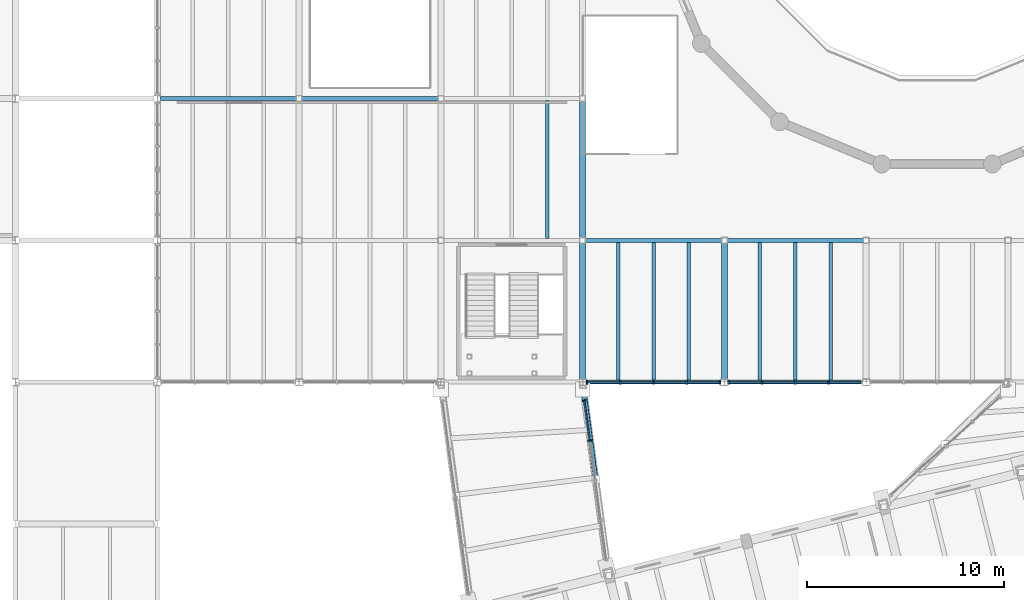
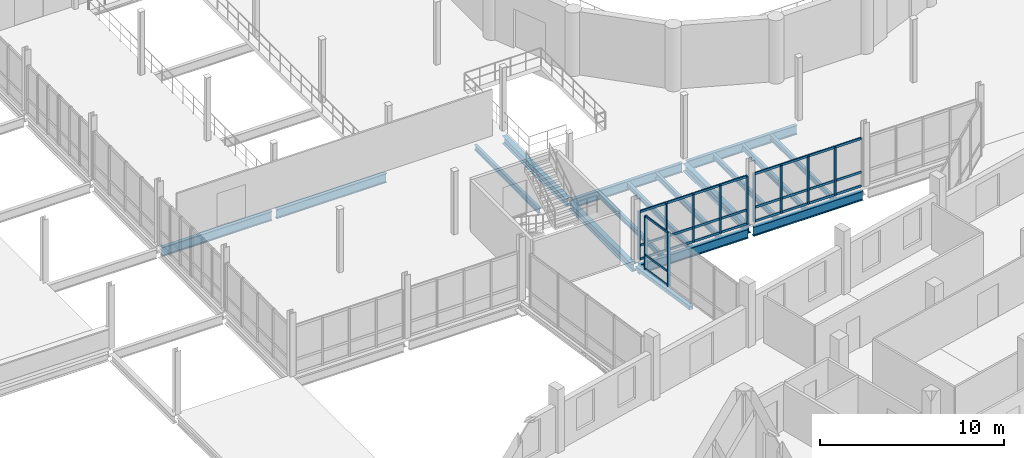
# One storey, part 21 of 72: 39 members, 16 beams, 3 elements without a shape of their own.
"""IFC4 building model written with IfcOpenShell, lengths in metres."""

from ifc_helpers import new_model, si_unit, direction, frame, origin, origin_2d, place, context, subcontext, project, spatial, rectangle, hollow_rectangle, i_section, extrude, material, material_profile, profile_set, type_object, element, aggregate, save


model = new_model("IFC4")

# Units and contexts
model_context = context("Model", 3, precision=1e-05, world=origin(), true_north=direction((0.0, 1.0)))
body_context = subcontext(model_context, "Body", "Model", "MODEL_VIEW")
ifc_project = project(units=[si_unit("LENGTHUNIT", "METRE"), si_unit("AREAUNIT", "SQUARE_METRE"), si_unit("VOLUMEUNIT", "CUBIC_METRE"), si_unit("PLANEANGLEUNIT", "RADIAN"), si_unit("MASSUNIT", "GRAM", prefix="KILO")], contexts=[model_context])

# Site, building, storey
site_placement = place(None, origin())
site = spatial("IfcSite", under=ifc_project, at=site_placement, CompositionType="ELEMENT")
building_placement = place(site_placement, origin())
building = spatial("IfcBuilding", under=site, at=building_placement, Name="Qiaolan Assembly House", CompositionType="ELEMENT")
storey_placement = place(building_placement, frame((0.0, 0.0, 10.199951171875)))
storey = spatial("IfcBuildingStorey", under=building, at=storey_placement, Name="L02", CompositionType="ELEMENT", Elevation=10.199951171875)

# Beams
ifc_material_1 = material(Name="Steel Q355B", Category="steel")
ifc_material_profile_1 = material_profile(ifc_material_1, i_section(OverallWidth=0.300048828125, OverallDepth=0.5, WebThickness=0.010986328125, FlangeThickness=0.01806640625, FilletRadius=0.02001953125, at=origin_2d()), Name="HM 500x300x11x18")
ifc_profile_set_1 = profile_set([ifc_material_profile_1], Name="Steel Q355B")
beam_type_1 = type_object("IfcBeamType", Name="BM-STL-HM500", PredefinedType="BEAM", material=ifc_profile_set_1)
beam_1_placement = place(storey_placement, frame((50.39990234375, 36.1650390625, -0.550048828125), z_axis=(0.0, 1.0, 0.0), x_axis=(-1.0, 0.0, 0.0)))
element("IfcBeam", 1, at=beam_1_placement, inside=storey, type_object=beam_type_1, Name="SB-15 beam BMY-HL-L02-04-00", PredefinedType="BEAM", context=body_context, shape_type="SweptSolid", body=[
    extrude(i_section(OverallWidth=0.300048828125, OverallDepth=0.5, WebThickness=0.010986328125, FlangeThickness=0.01806640625, FilletRadius=0.02001953125, at=origin_2d()), origin(), (0.0, 0.0, 1.0), 6.89501953125),
])
beam_2_placement = place(storey_placement, frame((50.39990234375, 43.340087890625, -0.550048828125), z_axis=(0.0, 1.0, 0.0), x_axis=(-1.0, 0.0, 0.0)))
element("IfcBeam", 2, at=beam_2_placement, inside=storey, type_object=beam_type_1, Name="SB-15 beam BMY-HL-L02-04-01", PredefinedType="BEAM", context=body_context, shape_type="SweptSolid", body=[
    extrude(i_section(OverallWidth=0.300048828125, OverallDepth=0.5, WebThickness=0.010986328125, FlangeThickness=0.01806640625, FilletRadius=0.02001953125, at=origin_2d()), origin(), (0.0, 0.0, 1.0), 6.919921875),
])
beam_3_placement = place(storey_placement, frame((57.60009765625, 36.1650390625, -0.550048828125), z_axis=(0.0, 1.0, 0.0), x_axis=(-1.0, 0.0, 0.0)))
element("IfcBeam", 3, at=beam_3_placement, inside=storey, type_object=beam_type_1, Name="SB-15 beam BMY-HL-L02-05-00", PredefinedType="BEAM", context=body_context, shape_type="SweptSolid", body=[
    extrude(i_section(OverallWidth=0.300048828125, OverallDepth=0.5, WebThickness=0.010986328125, FlangeThickness=0.01806640625, FilletRadius=0.02001953125, at=origin_2d()), origin(), (0.0, 0.0, 1.0), 6.89501953125),
])
ifc_material_profile_2 = material_profile(ifc_material_1, i_section(OverallWidth=0.2099609375, OverallDepth=0.610107421875, WebThickness=0.010986328125, FlangeThickness=0.01806640625, FilletRadius=0.02001953125, at=origin_2d()), Name="HN 610x210x11x18")
ifc_profile_set_2 = profile_set([ifc_material_profile_2], Name="Steel Q355B")
beam_type_2 = type_object("IfcBeamType", Name="BM-STL-HN610", PredefinedType="BEAM", material=ifc_profile_set_2)
for number, where, z_axis, x_axis, name in (
    (4, (50.56494140625, 36.0, -0.60498046875), (1.0, 0.0, 0.0), (0.0, 1.0, 0.0), "SB-11 beam BMX-HL-L02-04-00"),
    (5, (57.764892578125, 36.0, -0.60498046875), (1.0, 0.0, 0.0), (0.0, 1.0, 0.0), "SB-11 beam BMX-HL-L02-05-00"),
):
    element("IfcBeam", number, at=place(storey_placement, frame(where, z_axis=z_axis, x_axis=x_axis)), inside=storey, type_object=beam_type_2, Name=name, PredefinedType="BEAM", context=body_context, shape_type="SweptSolid", body=[
        extrude(i_section(OverallWidth=0.2099609375, OverallDepth=0.610107421875, WebThickness=0.010986328125, FlangeThickness=0.01806640625, FilletRadius=0.02001953125, at=origin_2d()), origin(), (0.0, 0.0, 1.0), 6.8701171875),
    ])
for number, where, z_axis, x_axis, name in (
    (6, (50.5400390625, 43.199951171875, -0.60498046875), (1.0, 0.0, 0.0), (0.0, 1.0, 0.0), "SB-11 beam BMX-HL-L02-04-01"),
    (7, (57.739990234375, 43.199951171875, -0.60498046875), (1.0, 0.0, 0.0), (0.0, 1.0, 0.0), "SB-11 beam BMX-HL-L02-05-01"),
):
    element("IfcBeam", number, at=place(storey_placement, frame(where, z_axis=z_axis, x_axis=x_axis)), inside=storey, type_object=beam_type_2, Name=name, PredefinedType="BEAM", context=body_context, shape_type="SweptSolid", body=[
        extrude(i_section(OverallWidth=0.2099609375, OverallDepth=0.610107421875, WebThickness=0.010986328125, FlangeThickness=0.01806640625, FilletRadius=0.02001953125, at=origin_2d()), origin(), (0.0, 0.0, 1.0), 6.919921875),
    ])
beam_4_placement = place(storey_placement, frame((28.965087890625, 50.39990234375, -0.60498046875), z_axis=(1.0, 0.0, 0.0), x_axis=(0.0, 1.0, 0.0)))
element("IfcBeam", 8, at=beam_4_placement, inside=storey, type_object=beam_type_2, Name="SB-11 beam BMX-HL-L02-01-02", PredefinedType="BEAM", context=body_context, shape_type="SweptSolid", body=[
    extrude(i_section(OverallWidth=0.2099609375, OverallDepth=0.610107421875, WebThickness=0.010986328125, FlangeThickness=0.01806640625, FilletRadius=0.02001953125, at=origin_2d()), origin(), (0.0, 0.0, 1.0), 6.89501953125),
])
beam_5_placement = place(storey_placement, frame((36.139892578125, 50.39990234375, -0.60498046875), z_axis=(1.0, 0.0, 0.0), x_axis=(0.0, 1.0, 0.0)))
element("IfcBeam", 9, at=beam_5_placement, inside=storey, type_object=beam_type_2, Name="SB-11 beam BMX-HL-L02-02-02", PredefinedType="BEAM", context=body_context, shape_type="SweptSolid", body=[
    extrude(i_section(OverallWidth=0.2099609375, OverallDepth=0.610107421875, WebThickness=0.010986328125, FlangeThickness=0.01806640625, FilletRadius=0.02001953125, at=origin_2d()), origin(), (0.0, 0.0, 1.0), 6.920166015625),
])

# Curtain wall, members
ifc_material_2 = material(Name="Anodised bronze aluminium", Category="aluminium")
curtain_wall_type_1 = type_object("IfcCurtainWallType", Name="CW-BRIDGE-420", PredefinedType="NOTDEFINED", material=ifc_material_2)
curtain_wall_1_placement = place(storey_placement, origin())
curtain_wall_1 = element("IfcCurtainWall", 10, at=curtain_wall_1_placement, inside=storey, type_object=curtain_wall_type_1, Name="CW-03 Glazed Skybridge Curtain Wall WB L02 E", PredefinedType="NOTDEFINED")
ifc_material_profile_3 = material_profile(ifc_material_2, rectangle(XDim=0.077880859375, YDim=0.179931640625, at=origin_2d()), Name="MUL 78x180")
ifc_profile_set_3 = profile_set([ifc_material_profile_3], Name="Anodised bronze aluminium")
member_type_1 = type_object("IfcMemberType", Name="CW-BRIDGE-420-MUL", PredefinedType="MULLION", material=ifc_profile_set_3)
member_1_placement = place(storey_placement, frame((50.4755859375, 35.05517578125, 0.0), z_axis=(0.0, 0.0, 1.0), x_axis=(0.137387630004, -0.990517359324, 0.0)))
member_1 = element("IfcMember", 11, at=member_1_placement, type_object=member_type_1, Name="ML-04 mullion CW-BRIDGE-WB-L02-E-1", PredefinedType="MULLION", context=body_context, shape_type="SweptSolid", body=[
    extrude(rectangle(XDim=0.077880859375, YDim=0.179931640625, at=origin_2d()), origin(), (0.0, 0.0, 1.0), 3.550048828125),
])
member_2_placement = place(storey_placement, frame((50.755859375, 33.0341796875, 0.0), z_axis=(0.0, 0.0, 1.0), x_axis=(0.137387630004, -0.990517359324, 0.0)))
member_2 = element("IfcMember", 12, at=member_2_placement, type_object=member_type_1, Name="ML-04 mullion CW-BRIDGE-WB-L02-E-2", PredefinedType="MULLION", context=body_context, shape_type="SweptSolid", body=[
    extrude(rectangle(XDim=0.077880859375, YDim=0.179931640625, at=origin_2d()), origin(), (0.0, 0.0, 1.0), 3.550048828125),
])
ifc_material_profile_4 = material_profile(ifc_material_2, rectangle(XDim=0.068115234375, YDim=0.139892578125, at=origin_2d()), Name="TRN 68x140")
ifc_profile_set_4 = profile_set([ifc_material_profile_4], Name="Anodised bronze aluminium")
member_type_2 = type_object("IfcMemberType", Name="CW-BRIDGE-420-TRN", PredefinedType="USERDEFINED", material=ifc_profile_set_4)
member_3_placement = place(storey_placement, frame((50.48095703125, 35.0166015625, 0.030029296875), z_axis=(0.137361532541, -0.990520978767, 0.0), x_axis=(0.990520978767, 0.137361532541, 0.0)))
member_3 = element("IfcMember", 13, at=member_3_placement, type_object=member_type_2, Name="TR-04 transom CW-BRIDGE-WB-L02-E-1-1", ObjectType="TRANSOM", PredefinedType="USERDEFINED", context=body_context, shape_type="SweptSolid", body=[
    extrude(rectangle(XDim=0.068115234375, YDim=0.139892578125, at=origin_2d()), origin(), (0.0, 0.0, 1.0), 1.962158203125),
])
member_4_placement = place(storey_placement, frame((50.48095703125, 35.0166015625, 0.949951171875), z_axis=(0.137361532541, -0.990520978767, 0.0), x_axis=(0.990520978767, 0.137361532541, 0.0)))
member_4 = element("IfcMember", 14, at=member_4_placement, type_object=member_type_2, Name="TR-04 transom CW-BRIDGE-WB-L02-E-1-2", ObjectType="TRANSOM", PredefinedType="USERDEFINED", context=body_context, shape_type="SweptSolid", body=[
    extrude(rectangle(XDim=0.068115234375, YDim=0.139892578125, at=origin_2d()), origin(), (0.0, 0.0, 1.0), 1.962158203125),
])
member_5_placement = place(storey_placement, frame((50.48095703125, 35.0166015625, 3.52001953125), z_axis=(0.137361532541, -0.990520978767, 0.0), x_axis=(0.990520978767, 0.137361532541, 0.0)))
member_5 = element("IfcMember", 15, at=member_5_placement, type_object=member_type_2, Name="TR-04 transom CW-BRIDGE-WB-L02-E-1-3", ObjectType="TRANSOM", PredefinedType="USERDEFINED", context=body_context, shape_type="SweptSolid", body=[
    extrude(rectangle(XDim=0.068115234375, YDim=0.139892578125, at=origin_2d()), origin(), (0.0, 0.0, 1.0), 1.962158203125),
])
aggregate(curtain_wall_1, [member_1, member_2, member_3, member_4, member_5])

curtain_wall_type_2 = type_object("IfcCurtainWallType", Name="CW-HALL-UPPER-480", PredefinedType="NOTDEFINED", material=ifc_material_2)
curtain_wall_2_placement = place(storey_placement, origin())
curtain_wall_2 = element("IfcCurtainWall", 16, at=curtain_wall_2_placement, inside=storey, type_object=curtain_wall_type_2, Name="CW-01 Hall South plaza curtain wall L02-4", PredefinedType="NOTDEFINED")
ifc_material_profile_5 = material_profile(ifc_material_2, rectangle(XDim=0.0859375, YDim=0.199951171875, at=origin_2d()), Name="MUL 86x200")
ifc_profile_set_5 = profile_set([ifc_material_profile_5], Name="Anodised bronze aluminium")
member_type_3 = type_object("IfcMemberType", Name="CW-HALL-UPPER-480-MUL", PredefinedType="MULLION", material=ifc_profile_set_5)
member_6_placement = place(storey_placement, frame((50.6201171875, 36.0, 0.0), z_axis=(0.0, 0.0, 1.0), x_axis=(1.0, 0.0, 0.0)))
member_6 = element("IfcMember", 17, at=member_6_placement, type_object=member_type_3, Name="ML-02 mullion CW-HALL-S-L02-03-1", PredefinedType="MULLION", context=body_context, shape_type="SweptSolid", body=[
    extrude(rectangle(XDim=0.0859375, YDim=0.199951171875, at=origin_2d()), origin(), (0.0, 0.0, 1.0), 3.199951171875),
])
member_7_placement = place(storey_placement, frame((52.31005859375, 36.0, 0.0), z_axis=(0.0, 0.0, 1.0), x_axis=(1.0, 0.0, 0.0)))
member_7 = element("IfcMember", 18, at=member_7_placement, type_object=member_type_3, Name="ML-02 mullion CW-HALL-S-L02-03-2", PredefinedType="MULLION", context=body_context, shape_type="SweptSolid", body=[
    extrude(rectangle(XDim=0.0859375, YDim=0.199951171875, at=origin_2d()), origin(), (0.0, 0.0, 1.0), 3.199951171875),
])
member_8_placement = place(storey_placement, frame((54.0, 36.0, 0.0), z_axis=(0.0, 0.0, 1.0), x_axis=(1.0, 0.0, 0.0)))
member_8 = element("IfcMember", 19, at=member_8_placement, type_object=member_type_3, Name="ML-02 mullion CW-HALL-S-L02-03-3", PredefinedType="MULLION", context=body_context, shape_type="SweptSolid", body=[
    extrude(rectangle(XDim=0.0859375, YDim=0.199951171875, at=origin_2d()), origin(), (0.0, 0.0, 1.0), 3.199951171875),
])
member_9_placement = place(storey_placement, frame((55.68994140625, 36.0, 0.0), z_axis=(0.0, 0.0, 1.0), x_axis=(1.0, 0.0, 0.0)))
member_9 = element("IfcMember", 20, at=member_9_placement, type_object=member_type_3, Name="ML-02 mullion CW-HALL-S-L02-03-4", PredefinedType="MULLION", context=body_context, shape_type="SweptSolid", body=[
    extrude(rectangle(XDim=0.0859375, YDim=0.199951171875, at=origin_2d()), origin(), (0.0, 0.0, 1.0), 3.199951171875),
])
member_10_placement = place(storey_placement, frame((57.3798828125, 36.0, 0.0), z_axis=(0.0, 0.0, 1.0), x_axis=(1.0, 0.0, 0.0)))
member_10 = element("IfcMember", 21, at=member_10_placement, type_object=member_type_3, Name="ML-02 mullion CW-HALL-S-L02-03-5", PredefinedType="MULLION", context=body_context, shape_type="SweptSolid", body=[
    extrude(rectangle(XDim=0.0859375, YDim=0.199951171875, at=origin_2d()), origin(), (0.0, 0.0, 1.0), 3.199951171875),
])

curtain_wall_3_placement = place(storey_placement, origin())
curtain_wall_3 = element("IfcCurtainWall", 22, at=curtain_wall_3_placement, inside=storey, type_object=curtain_wall_type_2, Name="CW-01 Hall South plaza curtain wall L02-5", PredefinedType="NOTDEFINED")
member_11_placement = place(storey_placement, frame((57.820068359375, 36.0, 0.0), z_axis=(0.0, 0.0, 1.0), x_axis=(1.0, 0.0, 0.0)))
member_11 = element("IfcMember", 23, at=member_11_placement, type_object=member_type_3, Name="ML-02 mullion CW-HALL-S-L02-04-1", PredefinedType="MULLION", context=body_context, shape_type="SweptSolid", body=[
    extrude(rectangle(XDim=0.0859375, YDim=0.199951171875, at=origin_2d()), origin(), (0.0, 0.0, 1.0), 3.199951171875),
])
member_12_placement = place(storey_placement, frame((59.510009765625, 36.0, 0.0), z_axis=(0.0, 0.0, 1.0), x_axis=(1.0, 0.0, 0.0)))
member_12 = element("IfcMember", 24, at=member_12_placement, type_object=member_type_3, Name="ML-02 mullion CW-HALL-S-L02-04-2", PredefinedType="MULLION", context=body_context, shape_type="SweptSolid", body=[
    extrude(rectangle(XDim=0.0859375, YDim=0.199951171875, at=origin_2d()), origin(), (0.0, 0.0, 1.0), 3.199951171875),
])
member_13_placement = place(storey_placement, frame((61.199951171875, 36.0, 0.0), z_axis=(0.0, 0.0, 1.0), x_axis=(1.0, 0.0, 0.0)))
member_13 = element("IfcMember", 25, at=member_13_placement, type_object=member_type_3, Name="ML-02 mullion CW-HALL-S-L02-04-3", PredefinedType="MULLION", context=body_context, shape_type="SweptSolid", body=[
    extrude(rectangle(XDim=0.0859375, YDim=0.199951171875, at=origin_2d()), origin(), (0.0, 0.0, 1.0), 3.199951171875),
])
member_14_placement = place(storey_placement, frame((62.889892578125, 36.0, 0.0), z_axis=(0.0, 0.0, 1.0), x_axis=(1.0, 0.0, 0.0)))
member_14 = element("IfcMember", 26, at=member_14_placement, type_object=member_type_3, Name="ML-02 mullion CW-HALL-S-L02-04-4", PredefinedType="MULLION", context=body_context, shape_type="SweptSolid", body=[
    extrude(rectangle(XDim=0.0859375, YDim=0.199951171875, at=origin_2d()), origin(), (0.0, 0.0, 1.0), 3.199951171875),
])

# Member
ifc_material_profile_6 = material_profile(ifc_material_2, rectangle(XDim=0.075927734375, YDim=0.14990234375, at=origin_2d()), Name="TRN 76x150")
ifc_profile_set_6 = profile_set([ifc_material_profile_6], Name="Anodised bronze aluminium")
member_type_4 = type_object("IfcMemberType", Name="CW-HALL-UPPER-480-TRN", PredefinedType="USERDEFINED", material=ifc_profile_set_6)
member_15_placement = place(storey_placement, frame((50.6630859375, 36.0, 0.030029296875), z_axis=(1.0, 0.0, 0.0), x_axis=(0.0, 1.0, 0.0)))
member_15 = element("IfcMember", 27, at=member_15_placement, type_object=member_type_4, Name="TR-02 transom CW-HALL-S-L02-03-1-1", ObjectType="TRANSOM", PredefinedType="USERDEFINED", context=body_context, shape_type="SweptSolid", body=[
    extrude(rectangle(XDim=0.075927734375, YDim=0.14990234375, at=origin_2d()), origin(), (0.0, 0.0, 1.0), 1.60400390625),
])

member_16_placement = place(storey_placement, frame((50.6630859375, 36.0, 0.949951171875), z_axis=(1.0, 0.0, 0.0), x_axis=(0.0, 1.0, 0.0)))
member_16 = element("IfcMember", 28, at=member_16_placement, type_object=member_type_4, Name="TR-02 transom CW-HALL-S-L02-03-1-2", ObjectType="TRANSOM", PredefinedType="USERDEFINED", context=body_context, shape_type="SweptSolid", body=[
    extrude(rectangle(XDim=0.075927734375, YDim=0.14990234375, at=origin_2d()), origin(), (0.0, 0.0, 1.0), 1.60400390625),
])

member_17_placement = place(storey_placement, frame((50.6630859375, 36.0, 3.170166015625), z_axis=(1.0, 0.0, 0.0), x_axis=(0.0, 1.0, 0.0)))
member_17 = element("IfcMember", 29, at=member_17_placement, type_object=member_type_4, Name="TR-02 transom CW-HALL-S-L02-03-1-3", ObjectType="TRANSOM", PredefinedType="USERDEFINED", context=body_context, shape_type="SweptSolid", body=[
    extrude(rectangle(XDim=0.075927734375, YDim=0.14990234375, at=origin_2d()), origin(), (0.0, 0.0, 1.0), 1.60400390625),
])

member_18_placement = place(storey_placement, frame((52.35302734375, 36.0, 0.030029296875), z_axis=(1.0, 0.0, 0.0), x_axis=(0.0, 1.0, 0.0)))
member_18 = element("IfcMember", 30, at=member_18_placement, type_object=member_type_4, Name="TR-02 transom CW-HALL-S-L02-03-2-1", ObjectType="TRANSOM", PredefinedType="USERDEFINED", context=body_context, shape_type="SweptSolid", body=[
    extrude(rectangle(XDim=0.075927734375, YDim=0.14990234375, at=origin_2d()), origin(), (0.0, 0.0, 1.0), 1.60400390625),
])

member_19_placement = place(storey_placement, frame((52.35302734375, 36.0, 0.949951171875), z_axis=(1.0, 0.0, 0.0), x_axis=(0.0, 1.0, 0.0)))
member_19 = element("IfcMember", 31, at=member_19_placement, type_object=member_type_4, Name="TR-02 transom CW-HALL-S-L02-03-2-2", ObjectType="TRANSOM", PredefinedType="USERDEFINED", context=body_context, shape_type="SweptSolid", body=[
    extrude(rectangle(XDim=0.075927734375, YDim=0.14990234375, at=origin_2d()), origin(), (0.0, 0.0, 1.0), 1.60400390625),
])

member_20_placement = place(storey_placement, frame((52.35302734375, 36.0, 3.170166015625), z_axis=(1.0, 0.0, 0.0), x_axis=(0.0, 1.0, 0.0)))
member_20 = element("IfcMember", 32, at=member_20_placement, type_object=member_type_4, Name="TR-02 transom CW-HALL-S-L02-03-2-3", ObjectType="TRANSOM", PredefinedType="USERDEFINED", context=body_context, shape_type="SweptSolid", body=[
    extrude(rectangle(XDim=0.075927734375, YDim=0.14990234375, at=origin_2d()), origin(), (0.0, 0.0, 1.0), 1.60400390625),
])

member_21_placement = place(storey_placement, frame((54.04296875, 36.0, 0.030029296875), z_axis=(1.0, 0.0, 0.0), x_axis=(0.0, 1.0, 0.0)))
member_21 = element("IfcMember", 33, at=member_21_placement, type_object=member_type_4, Name="TR-02 transom CW-HALL-S-L02-03-3-1", ObjectType="TRANSOM", PredefinedType="USERDEFINED", context=body_context, shape_type="SweptSolid", body=[
    extrude(rectangle(XDim=0.075927734375, YDim=0.14990234375, at=origin_2d()), origin(), (0.0, 0.0, 1.0), 1.60400390625),
])

member_22_placement = place(storey_placement, frame((54.04296875, 36.0, 0.949951171875), z_axis=(1.0, 0.0, 0.0), x_axis=(0.0, 1.0, 0.0)))
member_22 = element("IfcMember", 34, at=member_22_placement, type_object=member_type_4, Name="TR-02 transom CW-HALL-S-L02-03-3-2", ObjectType="TRANSOM", PredefinedType="USERDEFINED", context=body_context, shape_type="SweptSolid", body=[
    extrude(rectangle(XDim=0.075927734375, YDim=0.14990234375, at=origin_2d()), origin(), (0.0, 0.0, 1.0), 1.60400390625),
])

member_23_placement = place(storey_placement, frame((54.04296875, 36.0, 3.170166015625), z_axis=(1.0, 0.0, 0.0), x_axis=(0.0, 1.0, 0.0)))
member_23 = element("IfcMember", 35, at=member_23_placement, type_object=member_type_4, Name="TR-02 transom CW-HALL-S-L02-03-3-3", ObjectType="TRANSOM", PredefinedType="USERDEFINED", context=body_context, shape_type="SweptSolid", body=[
    extrude(rectangle(XDim=0.075927734375, YDim=0.14990234375, at=origin_2d()), origin(), (0.0, 0.0, 1.0), 1.60400390625),
])

member_24_placement = place(storey_placement, frame((55.73291015625, 36.0, 0.030029296875), z_axis=(1.0, 0.0, 0.0), x_axis=(0.0, 1.0, 0.0)))
member_24 = element("IfcMember", 36, at=member_24_placement, type_object=member_type_4, Name="TR-02 transom CW-HALL-S-L02-03-4-1", ObjectType="TRANSOM", PredefinedType="USERDEFINED", context=body_context, shape_type="SweptSolid", body=[
    extrude(rectangle(XDim=0.075927734375, YDim=0.14990234375, at=origin_2d()), origin(), (0.0, 0.0, 1.0), 1.60400390625),
])

member_25_placement = place(storey_placement, frame((55.73291015625, 36.0, 0.949951171875), z_axis=(1.0, 0.0, 0.0), x_axis=(0.0, 1.0, 0.0)))
member_25 = element("IfcMember", 37, at=member_25_placement, type_object=member_type_4, Name="TR-02 transom CW-HALL-S-L02-03-4-2", ObjectType="TRANSOM", PredefinedType="USERDEFINED", context=body_context, shape_type="SweptSolid", body=[
    extrude(rectangle(XDim=0.075927734375, YDim=0.14990234375, at=origin_2d()), origin(), (0.0, 0.0, 1.0), 1.60400390625),
])

member_26_placement = place(storey_placement, frame((55.73291015625, 36.0, 3.170166015625), z_axis=(1.0, 0.0, 0.0), x_axis=(0.0, 1.0, 0.0)))
member_26 = element("IfcMember", 38, at=member_26_placement, type_object=member_type_4, Name="TR-02 transom CW-HALL-S-L02-03-4-3", ObjectType="TRANSOM", PredefinedType="USERDEFINED", context=body_context, shape_type="SweptSolid", body=[
    extrude(rectangle(XDim=0.075927734375, YDim=0.14990234375, at=origin_2d()), origin(), (0.0, 0.0, 1.0), 1.60400390625),
])

aggregate(curtain_wall_2, [member_6, member_7, member_8, member_9, member_10, member_15, member_16, member_17, member_18, member_19, member_20, member_21, member_22, member_23, member_24, member_25, member_26])

member_27_placement = place(storey_placement, frame((57.863037109375, 36.0, 0.030029296875), z_axis=(1.0, 0.0, 0.0), x_axis=(0.0, 1.0, 0.0)))
member_27 = element("IfcMember", 39, at=member_27_placement, type_object=member_type_4, Name="TR-02 transom CW-HALL-S-L02-04-1-1", ObjectType="TRANSOM", PredefinedType="USERDEFINED", context=body_context, shape_type="SweptSolid", body=[
    extrude(rectangle(XDim=0.075927734375, YDim=0.14990234375, at=origin_2d()), origin(), (0.0, 0.0, 1.0), 1.60400390625),
])

member_28_placement = place(storey_placement, frame((57.863037109375, 36.0, 0.949951171875), z_axis=(1.0, 0.0, 0.0), x_axis=(0.0, 1.0, 0.0)))
member_28 = element("IfcMember", 40, at=member_28_placement, type_object=member_type_4, Name="TR-02 transom CW-HALL-S-L02-04-1-2", ObjectType="TRANSOM", PredefinedType="USERDEFINED", context=body_context, shape_type="SweptSolid", body=[
    extrude(rectangle(XDim=0.075927734375, YDim=0.14990234375, at=origin_2d()), origin(), (0.0, 0.0, 1.0), 1.60400390625),
])

member_29_placement = place(storey_placement, frame((57.863037109375, 36.0, 3.170166015625), z_axis=(1.0, 0.0, 0.0), x_axis=(0.0, 1.0, 0.0)))
member_29 = element("IfcMember", 41, at=member_29_placement, type_object=member_type_4, Name="TR-02 transom CW-HALL-S-L02-04-1-3", ObjectType="TRANSOM", PredefinedType="USERDEFINED", context=body_context, shape_type="SweptSolid", body=[
    extrude(rectangle(XDim=0.075927734375, YDim=0.14990234375, at=origin_2d()), origin(), (0.0, 0.0, 1.0), 1.60400390625),
])

member_30_placement = place(storey_placement, frame((59.552978515625, 36.0, 0.030029296875), z_axis=(1.0, 0.0, 0.0), x_axis=(0.0, 1.0, 0.0)))
member_30 = element("IfcMember", 42, at=member_30_placement, type_object=member_type_4, Name="TR-02 transom CW-HALL-S-L02-04-2-1", ObjectType="TRANSOM", PredefinedType="USERDEFINED", context=body_context, shape_type="SweptSolid", body=[
    extrude(rectangle(XDim=0.075927734375, YDim=0.14990234375, at=origin_2d()), origin(), (0.0, 0.0, 1.0), 1.60400390625),
])

member_31_placement = place(storey_placement, frame((59.552978515625, 36.0, 0.949951171875), z_axis=(1.0, 0.0, 0.0), x_axis=(0.0, 1.0, 0.0)))
member_31 = element("IfcMember", 43, at=member_31_placement, type_object=member_type_4, Name="TR-02 transom CW-HALL-S-L02-04-2-2", ObjectType="TRANSOM", PredefinedType="USERDEFINED", context=body_context, shape_type="SweptSolid", body=[
    extrude(rectangle(XDim=0.075927734375, YDim=0.14990234375, at=origin_2d()), origin(), (0.0, 0.0, 1.0), 1.60400390625),
])

member_32_placement = place(storey_placement, frame((59.552978515625, 36.0, 3.170166015625), z_axis=(1.0, 0.0, 0.0), x_axis=(0.0, 1.0, 0.0)))
member_32 = element("IfcMember", 44, at=member_32_placement, type_object=member_type_4, Name="TR-02 transom CW-HALL-S-L02-04-2-3", ObjectType="TRANSOM", PredefinedType="USERDEFINED", context=body_context, shape_type="SweptSolid", body=[
    extrude(rectangle(XDim=0.075927734375, YDim=0.14990234375, at=origin_2d()), origin(), (0.0, 0.0, 1.0), 1.60400390625),
])

member_33_placement = place(storey_placement, frame((61.242919921875, 36.0, 0.030029296875), z_axis=(1.0, 0.0, 0.0), x_axis=(0.0, 1.0, 0.0)))
member_33 = element("IfcMember", 45, at=member_33_placement, type_object=member_type_4, Name="TR-02 transom CW-HALL-S-L02-04-3-1", ObjectType="TRANSOM", PredefinedType="USERDEFINED", context=body_context, shape_type="SweptSolid", body=[
    extrude(rectangle(XDim=0.075927734375, YDim=0.14990234375, at=origin_2d()), origin(), (0.0, 0.0, 1.0), 1.60400390625),
])

member_34_placement = place(storey_placement, frame((61.242919921875, 36.0, 0.949951171875), z_axis=(1.0, 0.0, 0.0), x_axis=(0.0, 1.0, 0.0)))
member_34 = element("IfcMember", 46, at=member_34_placement, type_object=member_type_4, Name="TR-02 transom CW-HALL-S-L02-04-3-2", ObjectType="TRANSOM", PredefinedType="USERDEFINED", context=body_context, shape_type="SweptSolid", body=[
    extrude(rectangle(XDim=0.075927734375, YDim=0.14990234375, at=origin_2d()), origin(), (0.0, 0.0, 1.0), 1.60400390625),
])

member_35_placement = place(storey_placement, frame((61.242919921875, 36.0, 3.170166015625), z_axis=(1.0, 0.0, 0.0), x_axis=(0.0, 1.0, 0.0)))
member_35 = element("IfcMember", 47, at=member_35_placement, type_object=member_type_4, Name="TR-02 transom CW-HALL-S-L02-04-3-3", ObjectType="TRANSOM", PredefinedType="USERDEFINED", context=body_context, shape_type="SweptSolid", body=[
    extrude(rectangle(XDim=0.075927734375, YDim=0.14990234375, at=origin_2d()), origin(), (0.0, 0.0, 1.0), 1.60400390625),
])

member_36_placement = place(storey_placement, frame((62.93310546875, 36.0, 0.030029296875), z_axis=(1.0, 0.0, 0.0), x_axis=(0.0, 1.0, 0.0)))
member_36 = element("IfcMember", 48, at=member_36_placement, type_object=member_type_4, Name="TR-02 transom CW-HALL-S-L02-04-4-1", ObjectType="TRANSOM", PredefinedType="USERDEFINED", context=body_context, shape_type="SweptSolid", body=[
    extrude(rectangle(XDim=0.075927734375, YDim=0.14990234375, at=origin_2d()), origin(), (0.0, 0.0, 1.0), 1.60400390625),
])

member_37_placement = place(storey_placement, frame((62.93310546875, 36.0, 0.949951171875), z_axis=(1.0, 0.0, 0.0), x_axis=(0.0, 1.0, 0.0)))
member_37 = element("IfcMember", 49, at=member_37_placement, type_object=member_type_4, Name="TR-02 transom CW-HALL-S-L02-04-4-2", ObjectType="TRANSOM", PredefinedType="USERDEFINED", context=body_context, shape_type="SweptSolid", body=[
    extrude(rectangle(XDim=0.075927734375, YDim=0.14990234375, at=origin_2d()), origin(), (0.0, 0.0, 1.0), 1.60400390625),
])

member_38_placement = place(storey_placement, frame((62.93310546875, 36.0, 3.170166015625), z_axis=(1.0, 0.0, 0.0), x_axis=(0.0, 1.0, 0.0)))
member_38 = element("IfcMember", 50, at=member_38_placement, type_object=member_type_4, Name="TR-02 transom CW-HALL-S-L02-04-4-3", ObjectType="TRANSOM", PredefinedType="USERDEFINED", context=body_context, shape_type="SweptSolid", body=[
    extrude(rectangle(XDim=0.075927734375, YDim=0.14990234375, at=origin_2d()), origin(), (0.0, 0.0, 1.0), 1.60400390625),
])

aggregate(curtain_wall_3, [member_11, member_12, member_13, member_14, member_27, member_28, member_29, member_30, member_31, member_32, member_33, member_34, member_35, member_36, member_37, member_38])

# Beams
ifc_material_profile_7 = material_profile(ifc_material_1, i_section(OverallWidth=0.179931640625, OverallDepth=0.35498046875, WebThickness=0.007568359375, FlangeThickness=0.011474609375, FilletRadius=0.013916015625, at=origin_2d()), Name="HM 355x180x7.5x11.5")
ifc_profile_set_7 = profile_set([ifc_material_profile_7], Name="Steel Q355B")
beam_type_3 = type_object("IfcBeamType", Name="JST-STL-HM355", PredefinedType="JOIST", material=ifc_profile_set_7)
for number, where, z_axis, x_axis, name in (
    (51, (48.60009765625, 43.299072265625, -0.4775390625), (0.0, 1.0, 0.0), (-1.0, 0.0, 0.0), "SJ-04 beam JST-HL-L02-03-01-3"),
    (52, (52.199951171875, 36.09912109375, -0.4775390625), (0.0, 1.0, 0.0), (-1.0, 0.0, 0.0), "SJ-04 beam JST-HL-L02-04-00-1"),
    (53, (54.0, 36.09912109375, -0.4775390625), (0.0, 1.0, 0.0), (-1.0, 0.0, 0.0), "SJ-04 beam JST-HL-L02-04-00-2"),
    (54, (55.800048828125, 36.09912109375, -0.4775390625), (0.0, 1.0, 0.0), (-1.0, 0.0, 0.0), "SJ-04 beam JST-HL-L02-04-00-3"),
    (55, (59.39990234375, 36.09912109375, -0.4775390625), (0.0, 1.0, 0.0), (-1.0, 0.0, 0.0), "SJ-04 beam JST-HL-L02-05-00-1"),
    (56, (61.199951171875, 36.09912109375, -0.4775390625), (0.0, 1.0, 0.0), (-1.0, 0.0, 0.0), "SJ-04 beam JST-HL-L02-05-00-2"),
    (57, (63.0, 36.09912109375, -0.4775390625), (0.0, 1.0, 0.0), (-1.0, 0.0, 0.0), "SJ-04 beam JST-HL-L02-05-00-3"),
):
    element("IfcBeam", number, at=place(storey_placement, frame(where, z_axis=z_axis, x_axis=x_axis)), inside=storey, type_object=beam_type_3, Name=name, PredefinedType="JOIST", context=body_context, shape_type="SweptSolid", body=[
        extrude(i_section(OverallWidth=0.179931640625, OverallDepth=0.35498046875, WebThickness=0.007568359375, FlangeThickness=0.011474609375, FilletRadius=0.013916015625, at=origin_2d()), origin(), (0.0, 0.0, 1.0), 7.001953125),
    ])

# Member
ifc_material_profile_8 = material_profile(ifc_material_1, hollow_rectangle(XDim=0.25, YDim=0.25, WallThickness=0.010009765625, InnerFilletRadius=0.010009765625, OuterFilletRadius=0.02001953125, at=origin_2d()), Name="SHS 250x250x10")
ifc_profile_set_8 = profile_set([ifc_material_profile_8], Name="Steel Q355B")
member_type_5 = type_object("IfcMemberType", Name="MBR-BRACE-BRIDGE-SHS250", PredefinedType="BRACE", material=ifc_profile_set_8)
member_39_placement = place(storey_placement, frame((51.061279296875, 31.080810546875, -0.364990234375), z_axis=(-0.133217934411, 0.991086768124, 0.0), x_axis=(-0.991086768124, -0.133217934411, 0.0)))
element("IfcMember", 58, at=member_39_placement, inside=storey, type_object=member_type_5, Name="BR-03 skybridge brace WB L02", PredefinedType="BRACE", context=body_context, shape_type="SweptSolid", body=[
    extrude(hollow_rectangle(XDim=0.25, YDim=0.25, WallThickness=0.010009765625, InnerFilletRadius=0.010009765625, OuterFilletRadius=0.02001953125, at=origin_2d()), origin(), (0.0, 0.0, 1.0), 4.823486328125),
])

save(model, "model.ifc")
